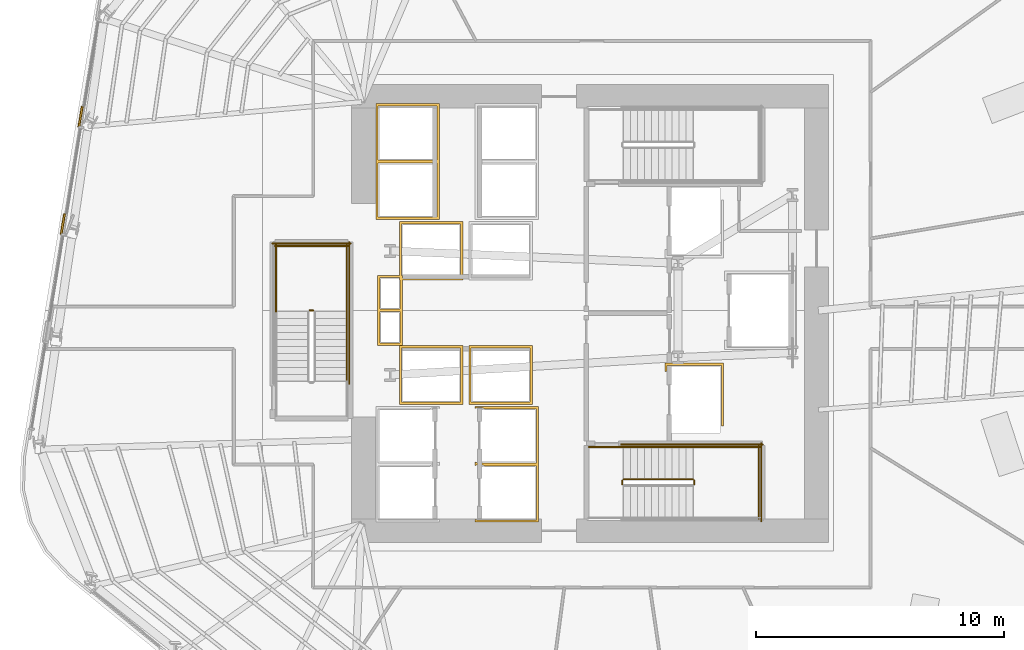
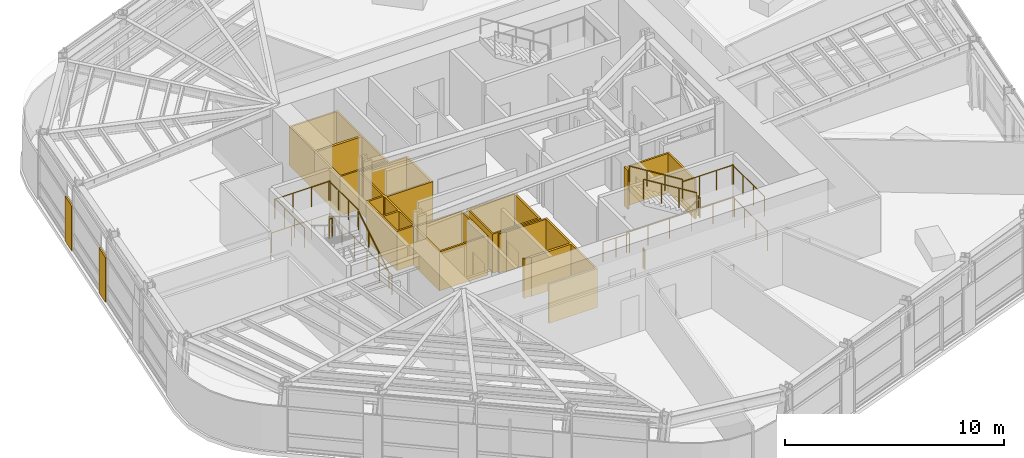
# One storey, part 14 of 18: 16 railings, 8 coverings.
"""IFC4 building model written with IfcOpenShell, lengths in metres."""

import ifcopenshell
import ifcopenshell.guid

model = None  # the IFC model being written
_history = None  # IfcOwnerHistory: only IFC2X3 demands one
_inside = {}  # id of a spatial element -> (the spatial element, [elements in it])
_under = {}  # id of a project, library or spatial element -> (it, [spatial elements below it])
_declared = {}  # id of a project -> (the project, [libraries it declares])
_typed = {}  # id of a type object -> (the type object, [elements of that type])
_made_of = {}  # id of a material, layer set ... -> (it, [elements and type objects made of it])


def new_model(schema):
    """Start an empty IFC model of exactly this schema.

    Asked for "IFC4X3", IfcOpenShell would pick the latest addendum, in which some entities
    have other attributes; the version numbers below select the first issue.
    IFC2X3 requires an IfcOwnerHistory on every rooted entity: one is made here for all.
    """
    global model, _history
    if schema == "IFC4X3":
        model = ifcopenshell.file(schema_version=(4, 3, 0, 0))
    else:
        model = ifcopenshell.file(schema=schema)
    _inside.clear()
    _under.clear()
    _declared.clear()
    _typed.clear()
    _made_of.clear()
    _history = None
    if model.schema == "IFC2X3":
        org = make("IfcOrganization", Name="unknown")
        user = make(
            "IfcPersonAndOrganization",
            ThePerson=make("IfcPerson", FamilyName="unknown"),
            TheOrganization=org,
        )
        app = make(
            "IfcApplication",
            ApplicationDeveloper=org,
            Version="unknown",
            ApplicationFullName="unknown",
            ApplicationIdentifier="unknown",
        )
        _history = make(
            "IfcOwnerHistory",
            OwningUser=user,
            OwningApplication=app,
            ChangeAction="ADDED",
            CreationDate=0,
        )
    return model


def make(cls, **values):
    """One entity of the class cls with the attributes given. An attribute that is None is left unset."""
    return model.create_entity(
        cls, **{name: value for name, value in values.items() if value is not None}
    )


def rooted(cls, **values):
    """An entity with a GlobalId (a new one), such as an element, a storey or a relation."""
    return make(cls, GlobalId=ifcopenshell.guid.new(), OwnerHistory=_history, **values)


def si_unit(unit_type, name, prefix=None):
    """IfcSIUnit, for example si_unit("LENGTHUNIT", "METRE", prefix="MILLI")."""
    return make("IfcSIUnit", UnitType=unit_type, Prefix=prefix, Name=name)


def assignment(units):
    """IfcUnitAssignment: the units of a project."""
    return None if units is None else make("IfcUnitAssignment", Units=units)


def point(xyz):
    """IfcCartesianPoint."""
    return None if xyz is None else make("IfcCartesianPoint", Coordinates=xyz)


def direction(xyz):
    """IfcDirection."""
    return None if xyz is None else make("IfcDirection", DirectionRatios=xyz)


def frame(location, z_axis=None, x_axis=None):
    """IfcAxis2Placement3D, a coordinate frame: its origin and axes. An axis left out is left unset."""
    return make(
        "IfcAxis2Placement3D",
        Location=point(location),
        Axis=direction(z_axis),
        RefDirection=direction(x_axis),
    )


def frame_2d(location, x_axis=None):
    """IfcAxis2Placement2D, a coordinate frame in the plane: its origin and x axis."""
    return make(
        "IfcAxis2Placement2D", Location=point(location), RefDirection=direction(x_axis)
    )


def origin():
    """The frame at (0, 0, 0) with its axes left unset."""
    return frame((0.0, 0.0, 0.0))


def origin_2d():
    """The frame at (0, 0) in the plane with its x axis left unset."""
    return frame_2d((0.0, 0.0))


def place(relative_to, where):
    """IfcLocalPlacement: puts the frame where relative to a parent placement (None: the world)."""
    return make(
        "IfcLocalPlacement", PlacementRelTo=relative_to, RelativePlacement=where
    )


def context(
    kind, dimensions, precision=None, world=None, true_north=None, identifier=None
):
    """IfcGeometricRepresentationContext, for example the 3D "Model" context."""
    return make(
        "IfcGeometricRepresentationContext",
        ContextIdentifier=identifier,
        ContextType=kind,
        CoordinateSpaceDimension=dimensions,
        Precision=precision,
        WorldCoordinateSystem=world,
        TrueNorth=true_north,
    )


def subcontext(parent, identifier, kind, view, scale=None):
    """IfcGeometricRepresentationSubContext, for example "Body" below "Model"."""
    return make(
        "IfcGeometricRepresentationSubContext",
        ContextIdentifier=identifier,
        ContextType=kind,
        ParentContext=parent,
        TargetScale=scale,
        TargetView=view,
    )


def project(units=None, contexts=None):
    """IfcProject with its units and contexts."""
    return rooted(
        "IfcProject",
        Name="project",
        RepresentationContexts=contexts,
        UnitsInContext=assignment(units),
    )


def spatial(cls, under=None, at=None, **own):
    """A site, building, storey or space (cls), placed at a placement, below another one or the project."""
    s = rooted(cls, ObjectPlacement=at, **own)
    if under is not None:
        _under.setdefault(under.id(), (under, []))[1].append(s)
    return s


def polyline(points):
    """IfcPolyline through the points."""
    return make("IfcPolyline", Points=[point(p) for p in points])


def profile(cls, at=None, kind="AREA", **sizes):
    """A parametric profile (cls). Its sizes go by their IFC names, for example OverallWidth=200.0."""
    return make(cls, ProfileType=kind, Position=at, **sizes)


def circle(**sizes):
    """IfcCircleProfileDef."""
    return profile("IfcCircleProfileDef", **sizes)


def outline(outer, holes=None, kind="AREA"):
    """IfcArbitraryClosedProfileDef: a profile drawn as a closed curve; with holes, ...WithVoids."""
    if holes is None:
        return make("IfcArbitraryClosedProfileDef", ProfileType=kind, OuterCurve=outer)
    return make(
        "IfcArbitraryProfileDefWithVoids",
        ProfileType=kind,
        OuterCurve=outer,
        InnerCurves=holes,
    )


def extrude(swept, where, along, depth):
    """IfcExtrudedAreaSolid: the profile swept, set in the frame where, extruded along a direction by depth."""
    return make(
        "IfcExtrudedAreaSolid",
        SweptArea=swept,
        Position=where,
        ExtrudedDirection=direction(along),
        Depth=depth,
    )


def shape(context_of_items, identifier, shape_type, items):
    """IfcShapeRepresentation: the items that make up one representation, for example the "Body"."""
    return make(
        "IfcShapeRepresentation",
        ContextOfItems=context_of_items,
        RepresentationIdentifier=identifier,
        RepresentationType=shape_type,
        Items=items,
    )


def material(Name=None, Category=None):
    """IfcMaterial."""
    return make("IfcMaterial", Name=Name, Category=Category)


def layer(
    of_material, thickness, ventilated=None, Name=None, Category=None, Priority=None
):
    """IfcMaterialLayer: one layer of a wall or slab, of a material (None: an air gap)."""
    return make(
        "IfcMaterialLayer",
        Material=of_material,
        LayerThickness=thickness,
        IsVentilated=ventilated,
        Name=Name,
        Category=Category,
        Priority=Priority,
    )


def layer_set(layers, Name=None):
    """IfcMaterialLayerSet."""
    return make("IfcMaterialLayerSet", MaterialLayers=layers, LayerSetName=Name)


def made_of(thing, what):
    """Note that an element or type object is made of a material, layer set ...; save() writes the relation."""
    if what is not None:
        _made_of.setdefault(what.id(), (what, []))[1].append(thing)
    return thing


def type_object(cls, material=None, **own):
    """A type object (cls), such as IfcWallType, which elements share."""
    return made_of(rooted(cls, **own), material)


def element(
    cls,
    number,
    at=None,
    inside=None,
    cuts=None,
    type_object=None,
    material=None,
    context=None,
    identifier="Body",
    shape_type=None,
    held_by="IfcProductDefinitionShape",
    body=None,
    shapes=None,
    **own,
):
    """One element of the class cls, such as IfcWall. Its Tag is "e" and its number.

    at: its placement. inside: the storey or other place that contains it. cuts: it is an
    opening in that element (IfcRelVoidsElement). A single representation is given by context,
    identifier, shape_type and body (its items); several are given by shapes. held_by: the class
    of the entity that holds the representations. save() writes the other relations.
    """
    e = rooted(cls, Tag="e%d" % number, ObjectPlacement=at, **own)
    if body is not None:
        shapes = [shape(context, identifier, shape_type, body)]
    if shapes is not None:
        e.Representation = make(held_by, Representations=shapes)
    if inside is not None:
        _inside.setdefault(inside.id(), (inside, []))[1].append(e)
    if cuts is not None:
        rooted(
            "IfcRelVoidsElement", RelatingBuildingElement=cuts, RelatedOpeningElement=e
        )
    if type_object is not None:
        _typed.setdefault(type_object.id(), (type_object, []))[1].append(e)
    return made_of(e, material)


def aggregate(whole, parts):
    """IfcRelAggregates: a whole, such as a stair, and the parts it consists of."""
    return rooted("IfcRelAggregates", RelatingObject=whole, RelatedObjects=parts)


def save(model, path):
    """Write the relations noted so far, then the file.

    IfcRelAggregates (storeys below a building ...), IfcRelContainedInSpatialStructure (elements
    in a storey), IfcRelDefinesByType, IfcRelAssociatesMaterial and IfcRelDeclares: one each for
    every whole, place, type object, material and project.
    """
    for whole, parts in _under.values():
        aggregate(whole, parts)
    for where, things in _inside.values():
        rooted(
            "IfcRelContainedInSpatialStructure",
            RelatedElements=things,
            RelatingStructure=where,
        )
    for kind, things in _typed.values():
        rooted("IfcRelDefinesByType", RelatedObjects=things, RelatingType=kind)
    for what, things in _made_of.values():
        rooted("IfcRelAssociatesMaterial", RelatedObjects=things, RelatingMaterial=what)
    for by, libraries in _declared.values():
        rooted("IfcRelDeclares", RelatingContext=by, RelatedDefinitions=libraries)
    model.write(path)


model = new_model("IFC4")

# Units and contexts
model_context = context("Model", 3, precision=1e-05, world=origin(), true_north=direction((0.0, 1.0)))
body_context = subcontext(model_context, "Body", "Model", "MODEL_VIEW")
ifc_project = project(units=[si_unit("LENGTHUNIT", "METRE"), si_unit("AREAUNIT", "SQUARE_METRE"), si_unit("VOLUMEUNIT", "CUBIC_METRE"), si_unit("PLANEANGLEUNIT", "RADIAN"), si_unit("MASSUNIT", "GRAM", prefix="KILO")], contexts=[model_context])

# Site, building, storey
site_placement = place(None, origin())
site = spatial("IfcSite", under=ifc_project, at=site_placement, CompositionType="ELEMENT")
building_placement = place(site_placement, origin())
building = spatial("IfcBuilding", under=site, at=building_placement, Name="Valkerne Bourse Tower", CompositionType="ELEMENT")
storey_placement = place(building_placement, frame((0.0, 0.0, 112.39990234375)))
storey = spatial("IfcBuildingStorey", under=building, at=storey_placement, Name="L28", CompositionType="ELEMENT", Elevation=112.39990234375)

# Coverings
ifc_material_1 = material(Name="Bronze Anodised Aluminium AA 6063-T6", Category="aluminium")
ifc_layer_1 = layer(ifc_material_1, 0.06005859375)
ifc_layer_set_1 = layer_set([ifc_layer_1], Name="Bronze Anodised Aluminium AA 6063-T6")
covering_type_1 = type_object("IfcCoveringType", Name="COV-CRN-ALUM", PredefinedType="CLADDING", material=ifc_layer_set_1)
covering_1_placement = place(storey_placement, origin())
element("IfcCovering", 1, at=covering_1_placement, inside=storey, type_object=covering_type_1, Name="L28 Wind-Shaped Corner Aluminium Cladding 11", PredefinedType="CLADDING", context=body_context, shape_type="SweptSolid", body=[
    extrude(outline(polyline([(25.591064453125, 30.898681640625), (25.669921875, 30.8857421875), (25.533203125, 30.056884765625), (25.454345703125, 30.070068359375), (25.591064453125, 30.898681640625)])), origin(), (0.0, 0.0, 1.0), 2.5),
])
covering_2_placement = place(storey_placement, origin())
element("IfcCovering", 2, at=covering_2_placement, inside=storey, type_object=covering_type_1, Name="L28 Wind-Shaped Corner Aluminium Cladding 12", PredefinedType="CLADDING", context=body_context, shape_type="SweptSolid", body=[
    extrude(outline(polyline([(26.303955078125, 35.223388671875), (26.3828125, 35.210205078125), (26.24609375, 34.381591796875), (26.167236328125, 34.39453125), (26.303955078125, 35.223388671875)])), origin(), (0.0, 0.0, 1.0), 2.5),
])
ifc_material_2 = material(Name="Gypsum Shaftwall Liner Board", Category="gypsum")
ifc_layer_2 = layer(ifc_material_2, 0.080078125)
ifc_layer_set_2 = layer_set([ifc_layer_2], Name="Gypsum Shaftwall Liner Board")
covering_type_2 = type_object("IfcCoveringType", Name="COV-SHF-CLAD", PredefinedType="CLADDING", material=ifc_layer_set_2)
covering_3_placement = place(storey_placement, origin())
element("IfcCovering", 3, at=covering_3_placement, inside=storey, type_object=covering_type_2, Name="L28 Hoistway & Riser Shaftwall Liner 02", PredefinedType="CLADDING", context=body_context, shape_type="SweptSolid", body=[
    extrude(outline(polyline([(41.679931640625, 23.219970703125), (39.1201171875, 23.219970703125), (39.1201171875, 25.580078125), (41.679931640625, 25.580078125), (41.679931640625, 23.219970703125)]), holes=[polyline([(39.2099609375, 25.489990234375), (39.2099609375, 23.31005859375), (41.590087890625, 23.31005859375), (41.590087890625, 25.489990234375), (39.2099609375, 25.489990234375)])]), origin(), (0.0, 0.0, 1.0), 2.18017578125),
])
covering_4_placement = place(storey_placement, origin())
element("IfcCovering", 4, at=covering_4_placement, inside=storey, type_object=covering_type_2, Name="L28 Hoistway & Riser Shaftwall Liner 03", PredefinedType="CLADDING", context=body_context, shape_type="SweptSolid", body=[
    extrude(outline(polyline([(44.47998046875, 23.219970703125), (41.919921875, 23.219970703125), (41.919921875, 25.580078125), (44.47998046875, 25.580078125), (44.47998046875, 23.219970703125)]), holes=[polyline([(42.010009765625, 25.489990234375), (42.010009765625, 23.31005859375), (44.389892578125, 23.31005859375), (44.389892578125, 25.489990234375), (42.010009765625, 25.489990234375)])]), origin(), (0.0, 0.0, 1.0), 2.18017578125),
])
covering_5_placement = place(storey_placement, origin())
element("IfcCovering", 5, at=covering_5_placement, inside=storey, type_object=covering_type_2, Name="L28 Hoistway & Riser Shaftwall Liner 04", PredefinedType="CLADDING", context=body_context, shape_type="SweptSolid", body=[
    extrude(outline(polyline([(38.239990234375, 28.409912109375), (39.1201171875, 28.409912109375), (39.1201171875, 30.580078125), (41.679931640625, 30.580078125), (41.679931640625, 28.219970703125), (39.239990234375, 28.219970703125), (39.239990234375, 27.0400390625), (39.239990234375, 26.9599609375), (39.239990234375, 25.590087890625), (38.239990234375, 25.590087890625), (38.239990234375, 26.9599609375), (38.239990234375, 27.0400390625), (38.239990234375, 28.409912109375)]), holes=[polyline([(39.2099609375, 30.489990234375), (39.2099609375, 28.409912109375), (39.239990234375, 28.409912109375), (39.239990234375, 28.31005859375), (41.590087890625, 28.31005859375), (41.590087890625, 30.489990234375), (39.2099609375, 30.489990234375)]), polyline([(38.330078125, 26.949951171875), (38.330078125, 25.679931640625), (39.14990234375, 25.679931640625), (39.14990234375, 26.949951171875), (38.330078125, 26.949951171875)]), polyline([(39.1201171875, 28.219970703125), (39.1201171875, 28.320068359375), (38.330078125, 28.320068359375), (38.330078125, 27.050048828125), (39.14990234375, 27.050048828125), (39.14990234375, 28.219970703125), (39.1201171875, 28.219970703125)])]), origin(), (0.0, 0.0, 1.0), 2.18017578125),
])
covering_6_placement = place(storey_placement, origin())
element("IfcCovering", 6, at=covering_6_placement, inside=storey, type_object=covering_type_2, Name="L28 Hoistway & Riser Shaftwall Liner 05", PredefinedType="CLADDING", context=body_context, shape_type="SweptSolid", body=[
    extrude(outline(polyline([(38.169921875, 35.330078125), (40.72998046875, 35.330078125), (40.72998046875, 33.030029296875), (40.72998046875, 32.969970703125), (40.72998046875, 30.669921875), (38.169921875, 30.669921875), (38.169921875, 32.969970703125), (38.169921875, 33.030029296875), (38.169921875, 35.330078125)]), holes=[polyline([(38.260009765625, 32.93994140625), (38.260009765625, 30.760009765625), (40.639892578125, 30.760009765625), (40.639892578125, 32.93994140625), (38.260009765625, 32.93994140625)]), polyline([(38.260009765625, 35.239990234375), (38.260009765625, 33.06005859375), (40.639892578125, 33.06005859375), (40.639892578125, 35.239990234375), (38.260009765625, 35.239990234375)])]), origin(), (0.0, 0.0, 1.0), 2.18017578125),
])
covering_7_placement = place(storey_placement, origin())
element("IfcCovering", 7, at=covering_7_placement, inside=storey, type_object=covering_type_2, Name="L28 Hoistway & Riser Shaftwall Liner 06", PredefinedType="CLADDING", context=body_context, shape_type="SweptSolid", body=[
    extrude(outline(polyline([(42.169921875, 20.830078125), (42.169921875, 20.887939453125), (42.177734375, 20.88427734375), (42.219482421875, 20.869384765625), (42.26220703125, 20.858642578125), (42.305908203125, 20.852294921875), (42.35009765625, 20.85009765625), (42.39404296875, 20.852294921875), (42.437744140625, 20.858642578125), (42.443115234375, 20.860107421875), (44.639892578125, 20.860107421875), (44.639892578125, 23.0400390625), (42.555419921875, 23.0400390625), (42.522216796875, 23.0556640625), (42.480712890625, 23.070556640625), (42.437744140625, 23.081298828125), (42.39404296875, 23.087890625), (42.35009765625, 23.090087890625), (42.305908203125, 23.087890625), (42.26220703125, 23.081298828125), (42.219482421875, 23.070556640625), (42.177734375, 23.0556640625), (42.169921875, 23.052001953125), (42.169921875, 23.1298828125), (44.72998046875, 23.1298828125), (44.72998046875, 20.830078125), (44.72998046875, 20.77001953125), (44.72998046875, 18.469970703125), (42.169921875, 18.469970703125), (42.169921875, 18.587890625), (42.177734375, 18.584228515625), (42.219482421875, 18.5693359375), (42.26220703125, 18.55859375), (42.305908203125, 18.55224609375), (42.35009765625, 18.550048828125), (42.39404296875, 18.55224609375), (42.437744140625, 18.55859375), (42.443115234375, 18.56005859375), (44.639892578125, 18.56005859375), (44.639892578125, 20.739990234375), (42.555419921875, 20.739990234375), (42.522216796875, 20.755615234375), (42.480712890625, 20.7705078125), (42.437744140625, 20.781494140625), (42.39404296875, 20.787841796875), (42.35009765625, 20.7900390625), (42.305908203125, 20.787841796875), (42.26220703125, 20.781494140625), (42.219482421875, 20.7705078125), (42.177734375, 20.755615234375), (42.169921875, 20.752197265625), (42.169921875, 20.77001953125), (42.169921875, 20.830078125)])), origin(), (0.0, 0.0, 1.0), 2.18017578125),
])
covering_8_placement = place(storey_placement, origin())
element("IfcCovering", 8, at=covering_8_placement, inside=storey, type_object=covering_type_2, Name="L28 Hoistway & Riser Shaftwall Liner 07", PredefinedType="CLADDING", context=body_context, shape_type="SweptSolid", body=[
    extrude(outline(polyline([(52.179931640625, 22.35009765625), (52.090087890625, 22.35009765625), (52.090087890625, 24.7900390625), (49.909912109375, 24.7900390625), (49.909912109375, 24.560791015625), (49.869384765625, 24.550537109375), (49.827880859375, 24.53564453125), (49.820068359375, 24.531982421875), (49.820068359375, 24.8798828125), (52.179931640625, 24.8798828125), (52.179931640625, 22.35009765625)])), origin(), (0.0, 0.0, 1.0), 2.18017578125),
])

# Railings
ifc_material_3 = material(Name="Galvanised Painted Steel", Category="steel")
railing_type_1 = type_object("IfcRailingType", Name="RLG-ST-GUARD-1120", PredefinedType="GUARDRAIL", material=ifc_material_3)
railing_1_placement = place(storey_placement, frame((51.0, 20.0, 1.900146484375)))
element("IfcRailing", 9, at=railing_1_placement, inside=storey, type_object=railing_type_1, Name="L28 ST-1 stair guard 2", PredefinedType="GUARDRAIL", context=body_context, shape_type="SweptSolid", body=[
    extrude(circle(Radius=0.02392578125, at=origin_2d()), frame((0.0, 0.0, 1.09619140625), z_axis=(0.0, 1.0, 0.0), x_axis=(-1.0, 0.0, 0.0)), (0.0, 0.0, 1.0), 0.14990234375),
    extrude(circle(Radius=0.02099609375, at=origin_2d()), origin(), (0.0, 0.0, 1.0), 1.072021484375),
    extrude(circle(Radius=0.02099609375, at=origin_2d()), frame((0.0, 0.14990234375, 0.0)), (0.0, 0.0, 1.0), 1.072021484375),
])
railing_2_placement = place(storey_placement, frame((50.949951171875, 21.5, 1.900146484375)))
element("IfcRailing", 10, at=railing_2_placement, inside=storey, type_object=railing_type_1, Name="L28 ST-1 stair guard 4", PredefinedType="GUARDRAIL", context=body_context, shape_type="SweptSolid", body=[
    extrude(circle(Radius=0.02392578125, at=origin_2d()), frame((0.0, 0.0, 1.09619140625), z_axis=(1.0, 0.0, 0.0), x_axis=(0.0, 1.0, 0.0)), (0.0, 0.0, 1.0), 2.699951171875),
    extrude(circle(Radius=0.02099609375, at=origin_2d()), origin(), (0.0, 0.0, 1.0), 1.072021484375),
    extrude(circle(Radius=0.02099609375, at=origin_2d()), frame((0.89990234375, 0.0, 0.0)), (0.0, 0.0, 1.0), 1.072021484375),
    extrude(circle(Radius=0.02099609375, at=origin_2d()), frame((1.800048828125, 0.0, 0.0)), (0.0, 0.0, 1.0), 1.072021484375),
    extrude(circle(Radius=0.02099609375, at=origin_2d()), frame((2.699951171875, 0.0, 0.0)), (0.0, 0.0, 1.0), 1.072021484375),
])
railing_3_placement = place(storey_placement, frame((53.60009765625, 18.60009765625, 1.900146484375)))
element("IfcRailing", 11, at=railing_3_placement, inside=storey, type_object=railing_type_1, Name="L28 ST-1 stair guard 5", PredefinedType="GUARDRAIL", context=body_context, shape_type="SweptSolid", body=[
    extrude(circle(Radius=0.02392578125, at=origin_2d()), frame((0.0, 0.0, 1.09619140625), z_axis=(0.0, 1.0, 0.0), x_axis=(-1.0, 0.0, 0.0)), (0.0, 0.0, 1.0), 2.949951171875),
    extrude(circle(Radius=0.02099609375, at=origin_2d()), origin(), (0.0, 0.0, 1.0), 1.072021484375),
    extrude(circle(Radius=0.02099609375, at=origin_2d()), frame((0.0, 0.9833984375, 0.0)), (0.0, 0.0, 1.0), 1.072021484375),
    extrude(circle(Radius=0.02099609375, at=origin_2d()), frame((0.0, 1.966552734375, 0.0)), (0.0, 0.0, 1.0), 1.072021484375),
    extrude(circle(Radius=0.02099609375, at=origin_2d()), frame((0.0, 2.949951171875, 0.0)), (0.0, 0.0, 1.0), 1.072021484375),
])
railing_4_placement = place(storey_placement, frame((50.949951171875, 20.199951171875, 2.07275390625)))
element("IfcRailing", 12, at=railing_4_placement, inside=storey, type_object=railing_type_1, Name="L28 ST-1 stair guard 6", PredefinedType="GUARDRAIL", context=body_context, shape_type="SweptSolid", body=[
    extrude(circle(Radius=0.02392578125, at=origin_2d()), frame((0.0, 0.0, 1.09619140625), z_axis=(-0.851089632645, 0.0, 0.525020415988), x_axis=(0.0, -1.0, 0.0)), (0.0, 0.0, 1.0), 3.2900390625),
    extrude(circle(Radius=0.02099609375, at=origin_2d()), origin(), (0.0, 0.0, 1.0), 1.072021484375),
    extrude(circle(Radius=0.02099609375, at=origin_2d()), frame((-0.933349609375, 0.0, 0.57568359375)), (0.0, 0.0, 1.0), 1.072021484375),
    extrude(circle(Radius=0.02099609375, at=origin_2d()), frame((-1.86669921875, 0.0, 1.151611328125)), (0.0, 0.0, 1.0), 1.072021484375),
    extrude(circle(Radius=0.02099609375, at=origin_2d()), frame((-2.800048828125, 0.0, 1.727294921875)), (0.0, 0.0, 1.0), 1.072021484375),
])
railing_5_placement = place(storey_placement, frame((48.10009765625, 20.0, 0.0)))
element("IfcRailing", 13, at=railing_5_placement, inside=storey, type_object=railing_type_1, Name="L28 ST-1 stair guard 7", PredefinedType="GUARDRAIL", context=body_context, shape_type="SweptSolid", body=[
    extrude(circle(Radius=0.02392578125, at=origin_2d()), frame((0.0, 0.0, 1.09619140625), z_axis=(0.0, 1.0, 0.0), x_axis=(-1.0, 0.0, 0.0)), (0.0, 0.0, 1.0), 0.14990234375),
    extrude(circle(Radius=0.02099609375, at=origin_2d()), origin(), (0.0, 0.0, 1.0), 1.072021484375),
    extrude(circle(Radius=0.02099609375, at=origin_2d()), frame((0.0, 0.14990234375, 0.0)), (0.0, 0.0, 1.0), 1.072021484375),
])
railing_6_placement = place(storey_placement, frame((46.75, 21.5, 0.0)))
element("IfcRailing", 14, at=railing_6_placement, inside=storey, type_object=railing_type_1, Name="L28 ST-1 stair guard 9", PredefinedType="GUARDRAIL", context=body_context, shape_type="SweptSolid", body=[
    extrude(circle(Radius=0.02392578125, at=origin_2d()), frame((0.0, 0.0, 1.09619140625), z_axis=(1.0, 0.0, 0.0), x_axis=(0.0, 1.0, 0.0)), (0.0, 0.0, 1.0), 1.39990234375),
    extrude(circle(Radius=0.02099609375, at=origin_2d()), origin(), (0.0, 0.0, 1.0), 1.072021484375),
    extrude(circle(Radius=0.02099609375, at=origin_2d()), frame((0.699951171875, 0.0, 0.0)), (0.0, 0.0, 1.0), 1.072021484375),
    extrude(circle(Radius=0.02099609375, at=origin_2d()), frame((1.39990234375, 0.0, 0.0)), (0.0, 0.0, 1.0), 1.072021484375),
])
railing_7_placement = place(storey_placement, frame((48.050048828125, 21.60009765625, 0.0)))
element("IfcRailing", 15, at=railing_7_placement, inside=storey, type_object=railing_type_1, Name="L28 ST-1 stair guard 11", PredefinedType="GUARDRAIL", context=body_context, shape_type="SweptSolid", body=[
    extrude(circle(Radius=0.02392578125, at=origin_2d()), frame((0.0, 0.0, 1.09619140625), z_axis=(1.0, 0.0, 0.0), x_axis=(0.0, 1.0, 0.0)), (0.0, 0.0, 1.0), 5.699951171875),
    extrude(circle(Radius=0.02099609375, at=origin_2d()), origin(), (0.0, 0.0, 1.0), 1.072021484375),
    extrude(circle(Radius=0.02099609375, at=origin_2d()), frame((1.139892578125, 0.0, 0.0)), (0.0, 0.0, 1.0), 1.072021484375),
    extrude(circle(Radius=0.02099609375, at=origin_2d()), frame((2.280029296875, 0.0, 0.0)), (0.0, 0.0, 1.0), 1.072021484375),
    extrude(circle(Radius=0.02099609375, at=origin_2d()), frame((3.419921875, 0.0, 0.0)), (0.0, 0.0, 1.0), 1.072021484375),
    extrude(circle(Radius=0.02099609375, at=origin_2d()), frame((4.56005859375, 0.0, 0.0)), (0.0, 0.0, 1.0), 1.072021484375),
    extrude(circle(Radius=0.02099609375, at=origin_2d()), frame((5.699951171875, 0.0, 0.0)), (0.0, 0.0, 1.0), 1.072021484375),
])
railing_8_placement = place(storey_placement, frame((53.699951171875, 18.5, 0.0)))
element("IfcRailing", 16, at=railing_8_placement, inside=storey, type_object=railing_type_1, Name="L28 ST-1 stair guard 12", PredefinedType="GUARDRAIL", context=body_context, shape_type="SweptSolid", body=[
    extrude(circle(Radius=0.02392578125, at=origin_2d()), frame((0.0, 0.0, 1.09619140625), z_axis=(0.0, 1.0, 0.0), x_axis=(-1.0, 0.0, 0.0)), (0.0, 0.0, 1.0), 3.14990234375),
    extrude(circle(Radius=0.02099609375, at=origin_2d()), origin(), (0.0, 0.0, 1.0), 1.072021484375),
    extrude(circle(Radius=0.02099609375, at=origin_2d()), frame((0.0, 1.050048828125, 0.0)), (0.0, 0.0, 1.0), 1.072021484375),
    extrude(circle(Radius=0.02099609375, at=origin_2d()), frame((0.0, 2.099853515625, 0.0)), (0.0, 0.0, 1.0), 1.072021484375),
    extrude(circle(Radius=0.02099609375, at=origin_2d()), frame((0.0, 3.14990234375, 0.0)), (0.0, 0.0, 1.0), 1.072021484375),
])
railing_9_placement = place(storey_placement, frame((35.64990234375, 27.0, 1.900146484375)))
element("IfcRailing", 17, at=railing_9_placement, inside=storey, type_object=railing_type_1, Name="L28 ST-3 stair guard 2", PredefinedType="GUARDRAIL", context=body_context, shape_type="SweptSolid", body=[
    extrude(circle(Radius=0.02392578125, at=origin_2d()), frame((0.0, 0.0, 1.09619140625), z_axis=(-1.0, 0.0, 0.0), x_axis=(0.0, -1.0, 0.0)), (0.0, 0.0, 1.0), 0.14990234375),
    extrude(circle(Radius=0.02099609375, at=origin_2d()), origin(), (0.0, 0.0, 1.0), 1.072021484375),
    extrude(circle(Radius=0.02099609375, at=origin_2d()), frame((-0.14990234375, 0.0, 0.0)), (0.0, 0.0, 1.0), 1.072021484375),
])
for number, where, name in (
    (18, (37.0, 26.949951171875, 1.900146484375), "L28 ST-3 stair guard 3"),
    (19, (34.14990234375, 26.949951171875, 1.900146484375), "L28 ST-3 stair guard 4"),
):
    element("IfcRailing", number, at=place(storey_placement, frame(where)), inside=storey, type_object=railing_type_1, Name=name, PredefinedType="GUARDRAIL", context=body_context, shape_type="SweptSolid", body=[
        extrude(circle(Radius=0.02392578125, at=origin_2d()), frame((0.0, 0.0, 1.09619140625), z_axis=(0.0, 1.0, 0.0), x_axis=(-1.0, 0.0, 0.0)), (0.0, 0.0, 1.0), 2.699951171875),
        extrude(circle(Radius=0.02099609375, at=origin_2d()), origin(), (0.0, 0.0, 1.0), 1.072021484375),
        extrude(circle(Radius=0.02099609375, at=origin_2d()), frame((0.0, 0.89990234375, 0.0)), (0.0, 0.0, 1.0), 1.072021484375),
        extrude(circle(Radius=0.02099609375, at=origin_2d()), frame((0.0, 1.800048828125, 0.0)), (0.0, 0.0, 1.0), 1.072021484375),
        extrude(circle(Radius=0.02099609375, at=origin_2d()), frame((0.0, 2.699951171875, 0.0)), (0.0, 0.0, 1.0), 1.072021484375),
    ])
railing_10_placement = place(storey_placement, frame((37.050048828125, 29.60009765625, 1.900146484375)))
element("IfcRailing", 20, at=railing_10_placement, inside=storey, type_object=railing_type_1, Name="L28 ST-3 stair guard 5", PredefinedType="GUARDRAIL", context=body_context, shape_type="SweptSolid", body=[
    extrude(circle(Radius=0.02392578125, at=origin_2d()), frame((0.0, 0.0, 1.09619140625), z_axis=(-1.0, 0.0, 0.0), x_axis=(0.0, -1.0, 0.0)), (0.0, 0.0, 1.0), 2.949951171875),
    extrude(circle(Radius=0.02099609375, at=origin_2d()), origin(), (0.0, 0.0, 1.0), 1.072021484375),
    extrude(circle(Radius=0.02099609375, at=origin_2d()), frame((-0.9833984375, 0.0, 0.0)), (0.0, 0.0, 1.0), 1.072021484375),
    extrude(circle(Radius=0.02099609375, at=origin_2d()), frame((-1.966552734375, 0.0, 0.0)), (0.0, 0.0, 1.0), 1.072021484375),
    extrude(circle(Radius=0.02099609375, at=origin_2d()), frame((-2.949951171875, 0.0, 0.0)), (0.0, 0.0, 1.0), 1.072021484375),
])
railing_11_placement = place(storey_placement, frame((37.10009765625, 24.050048828125, 0.0)))
element("IfcRailing", 21, at=railing_11_placement, inside=storey, type_object=railing_type_1, Name="L28 ST-3 stair guard 10", PredefinedType="GUARDRAIL", context=body_context, shape_type="SweptSolid", body=[
    extrude(circle(Radius=0.02392578125, at=origin_2d()), frame((0.0, 0.0, 1.09619140625), z_axis=(0.0, 1.0, 0.0), x_axis=(-1.0, 0.0, 0.0)), (0.0, 0.0, 1.0), 5.699951171875),
    extrude(circle(Radius=0.02099609375, at=origin_2d()), origin(), (0.0, 0.0, 1.0), 1.072021484375),
    extrude(circle(Radius=0.02099609375, at=origin_2d()), frame((0.0, 1.139892578125, 0.0)), (0.0, 0.0, 1.0), 1.072021484375),
    extrude(circle(Radius=0.02099609375, at=origin_2d()), frame((0.0, 2.280029296875, 0.0)), (0.0, 0.0, 1.0), 1.072021484375),
    extrude(circle(Radius=0.02099609375, at=origin_2d()), frame((0.0, 3.419921875, 0.0)), (0.0, 0.0, 1.0), 1.072021484375),
    extrude(circle(Radius=0.02099609375, at=origin_2d()), frame((0.0, 4.56005859375, 0.0)), (0.0, 0.0, 1.0), 1.072021484375),
    extrude(circle(Radius=0.02099609375, at=origin_2d()), frame((0.0, 5.699951171875, 0.0)), (0.0, 0.0, 1.0), 1.072021484375),
])
railing_12_placement = place(storey_placement, frame((37.14990234375, 29.699951171875, 0.0)))
element("IfcRailing", 22, at=railing_12_placement, inside=storey, type_object=railing_type_1, Name="L28 ST-3 stair guard 12", PredefinedType="GUARDRAIL", context=body_context, shape_type="SweptSolid", body=[
    extrude(circle(Radius=0.02392578125, at=origin_2d()), frame((0.0, 0.0, 1.09619140625), z_axis=(-1.0, 0.0, 0.0), x_axis=(0.0, -1.0, 0.0)), (0.0, 0.0, 1.0), 3.14990234375),
    extrude(circle(Radius=0.02099609375, at=origin_2d()), origin(), (0.0, 0.0, 1.0), 1.072021484375),
    extrude(circle(Radius=0.02099609375, at=origin_2d()), frame((-1.050048828125, 0.0, 0.0)), (0.0, 0.0, 1.0), 1.072021484375),
    extrude(circle(Radius=0.02099609375, at=origin_2d()), frame((-2.099853515625, 0.0, 0.0)), (0.0, 0.0, 1.0), 1.072021484375),
    extrude(circle(Radius=0.02099609375, at=origin_2d()), frame((-3.14990234375, 0.0, 0.0)), (0.0, 0.0, 1.0), 1.072021484375),
])
ifc_material_4 = material(Name="Stainless Steel AISI 316", Category="steel")
railing_type_2 = type_object("IfcRailingType", Name="RLG-ST-HANDRAIL-900", PredefinedType="HANDRAIL", material=ifc_material_4)
railing_13_placement = place(storey_placement, frame((50.949951171875, 21.5, 2.24560546875)))
element("IfcRailing", 23, at=railing_13_placement, inside=storey, type_object=railing_type_2, Name="L28 ST-1 stair handrail 2", PredefinedType="HANDRAIL", context=body_context, shape_type="SweptSolid", body=[
    extrude(circle(Radius=0.02392578125, at=origin_2d()), frame((0.0, 0.0, 0.8759765625), z_axis=(-0.851089632645, 0.0, 0.525020415988), x_axis=(0.0, -1.0, 0.0)), (0.0, 0.0, 1.0), 3.2900390625),
    extrude(circle(Radius=0.02099609375, at=origin_2d()), origin(), (0.0, 0.0, 1.0), 0.851806640625),
    extrude(circle(Radius=0.02099609375, at=origin_2d()), frame((-0.933349609375, 0.0, 0.57568359375)), (0.0, 0.0, 1.0), 0.851806640625),
    extrude(circle(Radius=0.02099609375, at=origin_2d()), frame((-1.86669921875, 0.0, 1.151611328125)), (0.0, 0.0, 1.0), 0.851806640625),
    extrude(circle(Radius=0.02099609375, at=origin_2d()), frame((-2.800048828125, 0.0, 1.727294921875)), (0.0, 0.0, 1.0), 0.851806640625),
])
railing_14_placement = place(storey_placement, frame((37.0, 24.14990234375, 0.345458984375)))
element("IfcRailing", 24, at=railing_14_placement, inside=storey, type_object=railing_type_2, Name="L28 ST-3 stair handrail 1", PredefinedType="HANDRAIL", context=body_context, shape_type="SweptSolid", body=[
    extrude(circle(Radius=0.02392578125, at=origin_2d()), frame((0.0, 0.0, 0.8759765625), z_axis=(0.0, 0.851089632645, 0.525020415988), x_axis=(-1.0, 0.0, 0.0)), (0.0, 0.0, 1.0), 3.2900390625),
    extrude(circle(Radius=0.02099609375, at=origin_2d()), origin(), (0.0, 0.0, 1.0), 0.851806640625),
    extrude(circle(Radius=0.02099609375, at=origin_2d()), frame((0.0, 0.933349609375, 0.57568359375)), (0.0, 0.0, 1.0), 0.851806640625),
    extrude(circle(Radius=0.02099609375, at=origin_2d()), frame((0.0, 1.86669921875, 1.151611328125)), (0.0, 0.0, 1.0), 0.851806640625),
    extrude(circle(Radius=0.02099609375, at=origin_2d()), frame((0.0, 2.800048828125, 1.727294921875)), (0.0, 0.0, 1.0), 0.851806640625),
])

save(model, "model.ifc")
